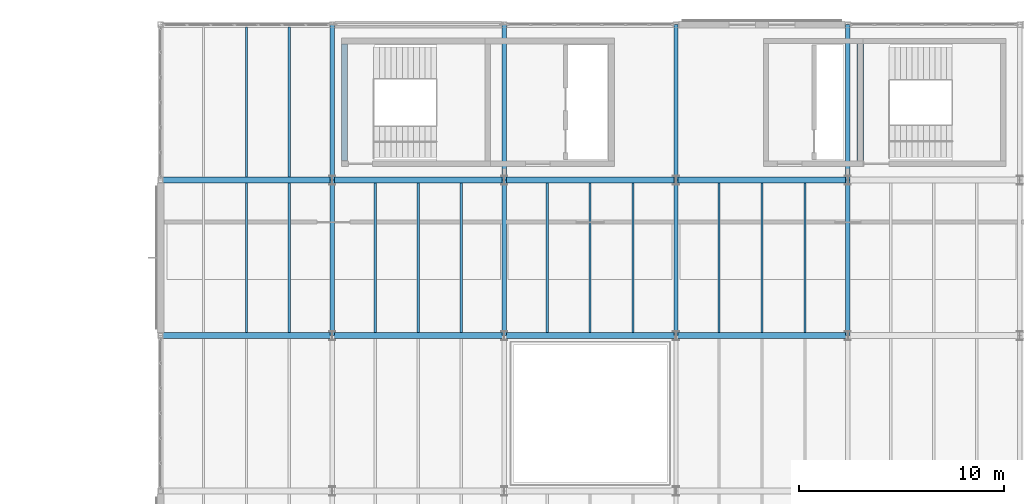
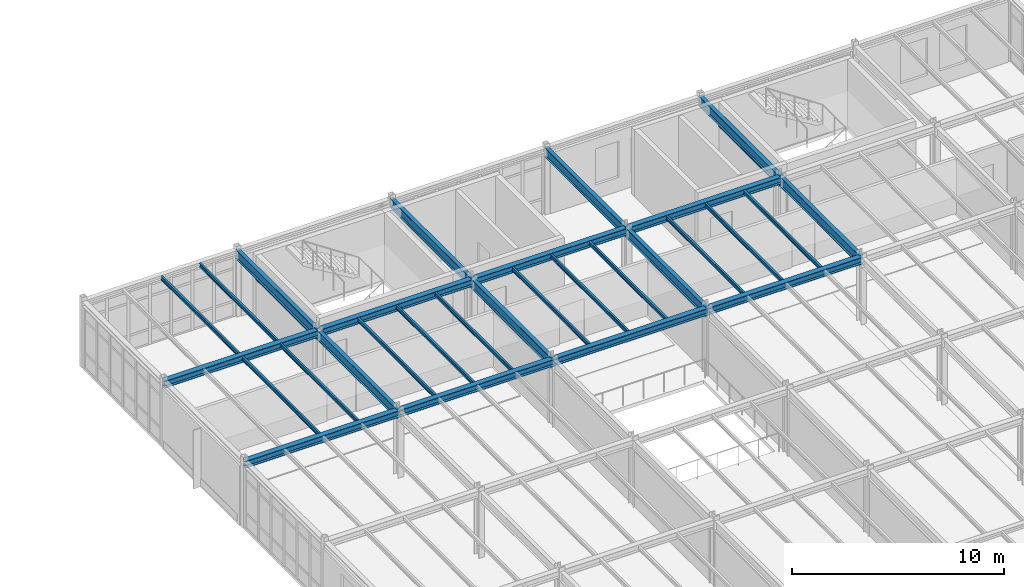
# One storey, part 99 of 189: 31 beams.
"""IFC4 building model written with IfcOpenShell, lengths in metres."""

from ifc_helpers import new_model, si_unit, direction, frame, origin, origin_2d, place, context, subcontext, project, spatial, rectangle, i_section, extrude, material, material_profile, profile_set, type_object, element, save


model = new_model("IFC4")

# Units and contexts
model_context = context("Model", 3, precision=1e-05, world=origin(), true_north=direction((0.0, 1.0)))
body_context = subcontext(model_context, "Body", "Model", "MODEL_VIEW")
ifc_project = project(units=[si_unit("LENGTHUNIT", "METRE"), si_unit("AREAUNIT", "SQUARE_METRE"), si_unit("VOLUMEUNIT", "CUBIC_METRE"), si_unit("PLANEANGLEUNIT", "RADIAN"), si_unit("MASSUNIT", "GRAM", prefix="KILO")], contexts=[model_context])

# Site, building, storey
site_placement = place(None, origin())
site = spatial("IfcSite", under=ifc_project, at=site_placement, CompositionType="ELEMENT")
building_placement = place(site_placement, origin())
building = spatial("IfcBuilding", under=site, at=building_placement, Name="Montecoro Central Library", CompositionType="ELEMENT")
storey_placement = place(building_placement, frame((0.0, 0.0, 9.179931640625)))
storey = spatial("IfcBuildingStorey", under=building, at=storey_placement, Name="L02", CompositionType="ELEMENT", Elevation=9.179931640625)

# Beams
ifc_material_1 = material(Name="Steel S355", Category="steel")
ifc_material_profile_1 = material_profile(ifc_material_1, i_section(OverallWidth=0.300048828125, OverallDepth=0.389892578125, WebThickness=0.010986328125, FlangeThickness=0.01904296875, at=origin_2d()), Name="HEA 400")
ifc_profile_set_1 = profile_set([ifc_material_profile_1], Name="Steel S355")
beam_type_1 = type_object("IfcBeamType", Name="BM-G-HEA400", PredefinedType="USERDEFINED", material=ifc_profile_set_1)
beam_1_placement = place(storey_placement, frame((66.405029296875, 103.800048828125, 3.630126953125), z_axis=(1.0, 0.0, 0.0), x_axis=(0.0, 1.0, 0.0)))
element("IfcBeam", 1, at=beam_1_placement, inside=storey, type_object=beam_type_1, Name="V2-L02-BX-910-P", ObjectType="GIRDER", PredefinedType="USERDEFINED", context=body_context, shape_type="SweptSolid", body=[
    extrude(i_section(OverallWidth=0.300048828125, OverallDepth=0.389892578125, WebThickness=0.010986328125, FlangeThickness=0.01904296875, at=origin_2d()), origin(), (0.0, 0.0, 1.0), 8.389892578125),
])
beam_2_placement = place(storey_placement, frame((74.804931640625, 103.800048828125, 3.630126953125), z_axis=(1.0, 0.0, 0.0), x_axis=(0.0, 1.0, 0.0)))
element("IfcBeam", 2, at=beam_2_placement, inside=storey, type_object=beam_type_1, Name="V2-L02-BX-1011-P", ObjectType="GIRDER", PredefinedType="USERDEFINED", context=body_context, shape_type="SweptSolid", body=[
    extrude(i_section(OverallWidth=0.300048828125, OverallDepth=0.389892578125, WebThickness=0.010986328125, FlangeThickness=0.01904296875, at=origin_2d()), origin(), (0.0, 0.0, 1.0), 8.39013671875),
])
beam_3_placement = place(storey_placement, frame((83.205078125, 103.800048828125, 3.630126953125), z_axis=(1.0, 0.0, 0.0), x_axis=(0.0, 1.0, 0.0)))
element("IfcBeam", 3, at=beam_3_placement, inside=storey, type_object=beam_type_1, Name="V2-L02-BX-1112-P", ObjectType="GIRDER", PredefinedType="USERDEFINED", context=body_context, shape_type="SweptSolid", body=[
    extrude(i_section(OverallWidth=0.300048828125, OverallDepth=0.389892578125, WebThickness=0.010986328125, FlangeThickness=0.01904296875, at=origin_2d()), origin(), (0.0, 0.0, 1.0), 8.389892578125),
])
beam_4_placement = place(storey_placement, frame((91.60498046875, 103.800048828125, 3.630126953125), z_axis=(1.0, 0.0, 0.0), x_axis=(0.0, 1.0, 0.0)))
element("IfcBeam", 4, at=beam_4_placement, inside=storey, type_object=beam_type_1, Name="V2-L02-BX-1213-P", ObjectType="GIRDER", PredefinedType="USERDEFINED", context=body_context, shape_type="SweptSolid", body=[
    extrude(i_section(OverallWidth=0.300048828125, OverallDepth=0.389892578125, WebThickness=0.010986328125, FlangeThickness=0.01904296875, at=origin_2d()), origin(), (0.0, 0.0, 1.0), 8.39013671875),
])
beam_5_placement = place(storey_placement, frame((66.405029296875, 111.39990234375, 3.630126953125), z_axis=(1.0, 0.0, 0.0), x_axis=(0.0, 1.0, 0.0)))
element("IfcBeam", 5, at=beam_5_placement, inside=storey, type_object=beam_type_1, Name="V2-L02-BX-910-Q", ObjectType="GIRDER", PredefinedType="USERDEFINED", context=body_context, shape_type="SweptSolid", body=[
    extrude(i_section(OverallWidth=0.300048828125, OverallDepth=0.389892578125, WebThickness=0.010986328125, FlangeThickness=0.01904296875, at=origin_2d()), origin(), (0.0, 0.0, 1.0), 8.389892578125),
])
beam_6_placement = place(storey_placement, frame((74.804931640625, 111.39990234375, 3.630126953125), z_axis=(1.0, 0.0, 0.0), x_axis=(0.0, 1.0, 0.0)))
element("IfcBeam", 6, at=beam_6_placement, inside=storey, type_object=beam_type_1, Name="V2-L02-BX-1011-Q", ObjectType="GIRDER", PredefinedType="USERDEFINED", context=body_context, shape_type="SweptSolid", body=[
    extrude(i_section(OverallWidth=0.300048828125, OverallDepth=0.389892578125, WebThickness=0.010986328125, FlangeThickness=0.01904296875, at=origin_2d()), origin(), (0.0, 0.0, 1.0), 8.39013671875),
])
beam_7_placement = place(storey_placement, frame((83.205078125, 111.39990234375, 3.630126953125), z_axis=(1.0, 0.0, 0.0), x_axis=(0.0, 1.0, 0.0)))
element("IfcBeam", 7, at=beam_7_placement, inside=storey, type_object=beam_type_1, Name="V2-L02-BX-1112-Q", ObjectType="GIRDER", PredefinedType="USERDEFINED", context=body_context, shape_type="SweptSolid", body=[
    extrude(i_section(OverallWidth=0.300048828125, OverallDepth=0.389892578125, WebThickness=0.010986328125, FlangeThickness=0.01904296875, at=origin_2d()), origin(), (0.0, 0.0, 1.0), 8.389892578125),
])
beam_8_placement = place(storey_placement, frame((91.60498046875, 111.39990234375, 3.630126953125), z_axis=(1.0, 0.0, 0.0), x_axis=(0.0, 1.0, 0.0)))
element("IfcBeam", 8, at=beam_8_placement, inside=storey, type_object=beam_type_1, Name="V2-L02-BX-1213-Q", ObjectType="GIRDER", PredefinedType="USERDEFINED", context=body_context, shape_type="SweptSolid", body=[
    extrude(i_section(OverallWidth=0.300048828125, OverallDepth=0.389892578125, WebThickness=0.010986328125, FlangeThickness=0.01904296875, at=origin_2d()), origin(), (0.0, 0.0, 1.0), 8.39013671875),
])
ifc_material_2 = material(Name="Steel S355J2", Category="steel")
ifc_material_profile_2 = material_profile(ifc_material_2, i_section(OverallWidth=0.2099609375, OverallDepth=0.550048828125, WebThickness=0.010986328125, FlangeThickness=0.01708984375, at=origin_2d()), Name="IPE 550")
ifc_profile_set_2 = profile_set([ifc_material_profile_2], Name="Steel S355J2")
beam_type_2 = type_object("IfcBeamType", Name="BM-G-IPE550", PredefinedType="USERDEFINED", material=ifc_profile_set_2)
for number, where, z_axis, x_axis, name in (
    (9, (74.800048828125, 103.804931640625, 3.550048828125), (0.0, 1.0, 0.0), (-1.0, 0.0, 0.0), "V2-L02-BY-10-PQ"),
    (10, (74.800048828125, 111.405029296875, 3.550048828125), (0.0, 1.0, 0.0), (-1.0, 0.0, 0.0), "V2-L02-BY-10-QR"),
    (11, (83.199951171875, 103.804931640625, 3.550048828125), (0.0, 1.0, 0.0), (-1.0, 0.0, 0.0), "V2-L02-BY-11-PQ"),
    (12, (83.199951171875, 111.405029296875, 3.550048828125), (0.0, 1.0, 0.0), (-1.0, 0.0, 0.0), "V2-L02-BY-11-QR"),
    (13, (91.60009765625, 103.804931640625, 3.550048828125), (0.0, 1.0, 0.0), (-1.0, 0.0, 0.0), "V2-L02-BY-12-PQ"),
    (14, (91.60009765625, 111.405029296875, 3.550048828125), (0.0, 1.0, 0.0), (-1.0, 0.0, 0.0), "V2-L02-BY-12-QR"),
    (15, (100.0, 103.804931640625, 3.550048828125), (0.0, 1.0, 0.0), (-1.0, 0.0, 0.0), "V2-L02-BY-13-PQ"),
    (16, (100.0, 111.405029296875, 3.550048828125), (0.0, 1.0, 0.0), (-1.0, 0.0, 0.0), "V2-L02-BY-13-QR"),
):
    element("IfcBeam", number, at=place(storey_placement, frame(where, z_axis=z_axis, x_axis=x_axis)), inside=storey, type_object=beam_type_2, Name=name, ObjectType="GIRDER", PredefinedType="USERDEFINED", context=body_context, shape_type="SweptSolid", body=[
        extrude(i_section(OverallWidth=0.2099609375, OverallDepth=0.550048828125, WebThickness=0.010986328125, FlangeThickness=0.01708984375, at=origin_2d()), origin(), (0.0, 0.0, 1.0), 7.590087890625),
    ])
ifc_material_profile_3 = material_profile(ifc_material_1, i_section(OverallWidth=0.110107421875, OverallDepth=0.219970703125, WebThickness=0.005859375, FlangeThickness=0.00927734375, at=origin_2d()), Name="IPE 220")
ifc_profile_set_3 = profile_set([ifc_material_profile_3], Name="Steel S355")
beam_type_3 = type_object("IfcBeamType", Name="BM-J-IPE220", PredefinedType="JOIST", material=ifc_profile_set_3)
for number, where, z_axis, x_axis, name in (
    (17, (70.60009765625, 103.947021484375, 3.715087890625), (0.0, 1.0, 0.0), (-1.0, 0.0, 0.0), "V2-L02-JS-910-PQ-2"),
    (18, (72.699951171875, 103.947021484375, 3.715087890625), (0.0, 1.0, 0.0), (-1.0, 0.0, 0.0), "V2-L02-JS-910-PQ-3"),
):
    element("IfcBeam", number, at=place(storey_placement, frame(where, z_axis=z_axis, x_axis=x_axis)), inside=storey, type_object=beam_type_3, Name=name, PredefinedType="JOIST", context=body_context, shape_type="SweptSolid", body=[
        extrude(i_section(OverallWidth=0.110107421875, OverallDepth=0.219970703125, WebThickness=0.005859375, FlangeThickness=0.00927734375, at=origin_2d()), origin(), (0.0, 0.0, 1.0), 7.305908203125),
    ])
for number, where, z_axis, x_axis, name in (
    (19, (70.60009765625, 111.547119140625, 3.715087890625), (0.0, 1.0, 0.0), (-1.0, 0.0, 0.0), "V2-L02-JS-910-QR-2"),
    (20, (72.699951171875, 111.547119140625, 3.715087890625), (0.0, 1.0, 0.0), (-1.0, 0.0, 0.0), "V2-L02-JS-910-QR-3"),
):
    element("IfcBeam", number, at=place(storey_placement, frame(where, z_axis=z_axis, x_axis=x_axis)), inside=storey, type_object=beam_type_3, Name=name, PredefinedType="JOIST", context=body_context, shape_type="SweptSolid", body=[
        extrude(i_section(OverallWidth=0.110107421875, OverallDepth=0.219970703125, WebThickness=0.005859375, FlangeThickness=0.00927734375, at=origin_2d()), origin(), (0.0, 0.0, 1.0), 7.325927734375),
    ])
for number, where, z_axis, x_axis, name in (
    (21, (76.89990234375, 103.947021484375, 3.715087890625), (0.0, 1.0, 0.0), (-1.0, 0.0, 0.0), "V2-L02-JS-1011-PQ-1"),
    (22, (79.0, 103.947021484375, 3.715087890625), (0.0, 1.0, 0.0), (-1.0, 0.0, 0.0), "V2-L02-JS-1011-PQ-2"),
    (23, (81.10009765625, 103.947021484375, 3.715087890625), (0.0, 1.0, 0.0), (-1.0, 0.0, 0.0), "V2-L02-JS-1011-PQ-3"),
    (24, (85.300048828125, 103.947021484375, 3.715087890625), (0.0, 1.0, 0.0), (-1.0, 0.0, 0.0), "V2-L02-JS-1112-PQ-1"),
    (25, (87.39990234375, 103.947021484375, 3.715087890625), (0.0, 1.0, 0.0), (-1.0, 0.0, 0.0), "V2-L02-JS-1112-PQ-2"),
    (26, (89.5, 103.947021484375, 3.715087890625), (0.0, 1.0, 0.0), (-1.0, 0.0, 0.0), "V2-L02-JS-1112-PQ-3"),
    (27, (93.699951171875, 103.947021484375, 3.715087890625), (0.0, 1.0, 0.0), (-1.0, 0.0, 0.0), "V2-L02-JS-1213-PQ-1"),
    (28, (95.800048828125, 103.947021484375, 3.715087890625), (0.0, 1.0, 0.0), (-1.0, 0.0, 0.0), "V2-L02-JS-1213-PQ-2"),
    (29, (97.89990234375, 103.947021484375, 3.715087890625), (0.0, 1.0, 0.0), (-1.0, 0.0, 0.0), "V2-L02-JS-1213-PQ-3"),
):
    element("IfcBeam", number, at=place(storey_placement, frame(where, z_axis=z_axis, x_axis=x_axis)), inside=storey, type_object=beam_type_3, Name=name, PredefinedType="JOIST", context=body_context, shape_type="SweptSolid", body=[
        extrude(i_section(OverallWidth=0.110107421875, OverallDepth=0.219970703125, WebThickness=0.005859375, FlangeThickness=0.00927734375, at=origin_2d()), origin(), (0.0, 0.0, 1.0), 7.305908203125),
    ])
ifc_material_3 = material(Name="Concrete C35/45", Category="concrete")
ifc_material_profile_4 = material_profile(ifc_material_3, rectangle(XDim=0.300048828125, YDim=0.449951171875, at=origin_2d()), Name="RC LNT 450x300")
ifc_profile_set_4 = profile_set([ifc_material_profile_4], Name="Concrete C35/45")
beam_type_4 = type_object("IfcBeamType", Name="BM-LN-RC02", PredefinedType="LINTEL", material=ifc_profile_set_4)
beam_9_placement = place(storey_placement, frame((75.39990234375, 112.35009765625, 2.675048828125), z_axis=(0.0, 1.0, 0.0), x_axis=(-1.0, 0.0, 0.0)))
element("IfcBeam", 30, at=beam_9_placement, inside=storey, type_object=beam_type_4, Name="C2-L02-LNT", PredefinedType="LINTEL", context=body_context, shape_type="SweptSolid", body=[
    extrude(rectangle(XDim=0.300048828125, YDim=0.449951171875, at=origin_2d()), origin(), (0.0, 0.0, 1.0), 5.699951171875),
])
ifc_material_profile_5 = material_profile(ifc_material_3, rectangle(XDim=0.320068359375, YDim=0.5, at=origin_2d()), Name="RC LNT 500x320")
ifc_profile_set_5 = profile_set([ifc_material_profile_5], Name="Concrete C35/45")
beam_type_5 = type_object("IfcBeamType", Name="BM-LN-RC03", PredefinedType="LINTEL", material=ifc_profile_set_5)
beam_10_placement = place(storey_placement, frame((100.60009765625, 112.35009765625, 2.699951171875), z_axis=(0.0, 1.0, 0.0), x_axis=(-1.0, 0.0, 0.0)))
element("IfcBeam", 31, at=beam_10_placement, inside=storey, type_object=beam_type_5, Name="C3-L02-LNT", PredefinedType="LINTEL", context=body_context, shape_type="SweptSolid", body=[
    extrude(rectangle(XDim=0.320068359375, YDim=0.5, at=origin_2d()), origin(), (0.0, 0.0, 1.0), 5.699951171875),
])

save(model, "model.ifc")
